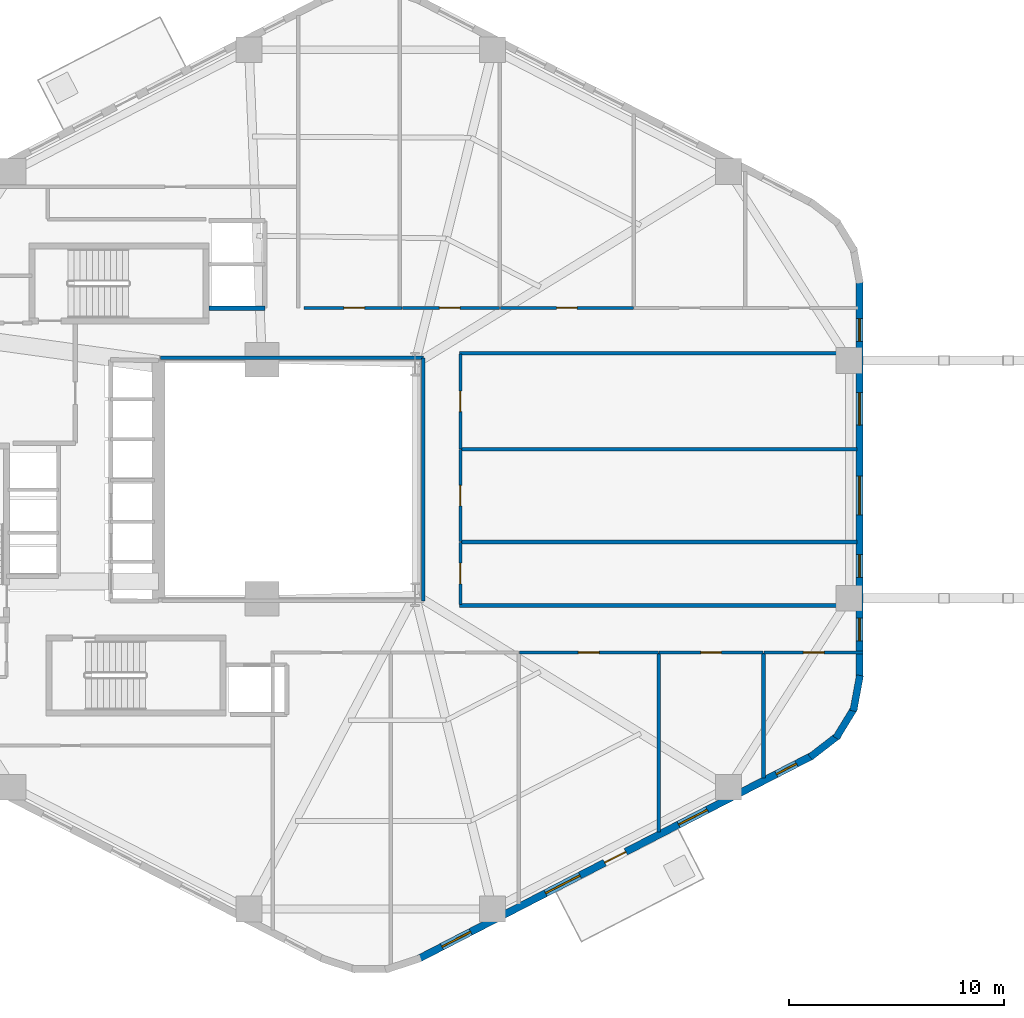
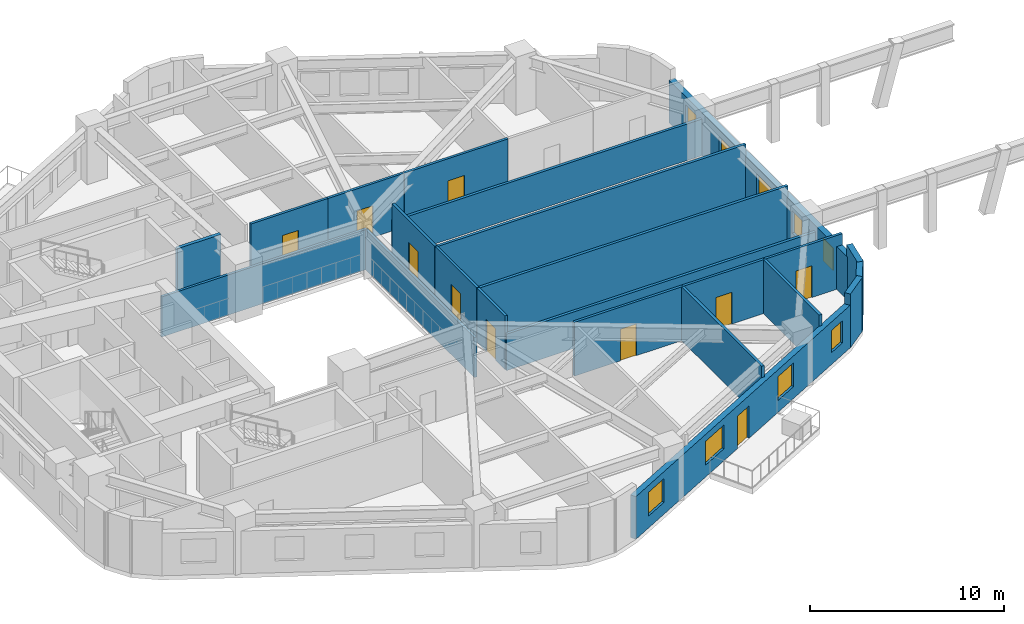
# One storey, part 4 of 8: 23 walls, 10 doors, 9 windows, 19 openings.
"""IFC4 building model written with IfcOpenShell, lengths in metres."""

from ifc_helpers import new_model, si_unit, direction, frame, frame_2d, origin, place, context, subcontext, project, spatial, rectangle, extrude, material, layer, layer_set, type_object, element, fill, save


model = new_model("IFC4")

# Units and contexts
model_context = context("Model", 3, precision=1e-05, world=origin(), true_north=direction((0.0, 1.0)))
body_context = subcontext(model_context, "Body", "Model", "MODEL_VIEW")
ifc_project = project(units=[si_unit("LENGTHUNIT", "METRE"), si_unit("AREAUNIT", "SQUARE_METRE"), si_unit("VOLUMEUNIT", "CUBIC_METRE"), si_unit("PLANEANGLEUNIT", "RADIAN"), si_unit("MASSUNIT", "GRAM", prefix="KILO"), si_unit("THERMODYNAMICTEMPERATUREUNIT", "KELVIN"), si_unit("POWERUNIT", "WATT")], contexts=[model_context])

# Site, building, storey
site_placement = place(None, origin())
site = spatial("IfcSite", under=ifc_project, at=site_placement, CompositionType="ELEMENT")
building_placement = place(site_placement, origin())
building = spatial("IfcBuilding", under=site, at=building_placement, Name="Skarre Station Tower", CompositionType="ELEMENT")
storey_placement = place(building_placement, frame((0.0, 0.0, 45.25)))
storey = spatial("IfcBuildingStorey", under=building, at=storey_placement, Name="L11", CompositionType="ELEMENT", Elevation=45.25)

# Walls
ifc_material_1 = material(Name="Acoustic Steel-Stud Gypsum Partition", Category="steel")
ifc_layer_1 = layer(ifc_material_1, 0.14990234375, Name="Acoustic Steel-Stud Gypsum Partition")
ifc_layer_set_1 = layer_set([ifc_layer_1], Name="Acoustic Steel-Stud Gypsum Partition")
wall_type_1 = type_object("IfcWallType", Name="Fire-Rated Corridor Acoustic Partition 150", PredefinedType="PARTITIONING", material=ifc_layer_set_1)
wall_1_placement = place(storey_placement, frame((39.840087890625, 29.639892578125, 0.0), z_axis=(0.0, 0.0, 1.0), x_axis=(-1.0, 0.0, 0.0)))
element("IfcWall", 1, at=wall_1_placement, inside=storey, type_object=wall_type_1, Name="L11 Interior Partition WL-PT-L11-ATRW-N", PredefinedType="PARTITIONING", context=body_context, shape_type="SweptSolid", body=[
    extrude(rectangle(XDim=12.2001953125, YDim=0.14990234375, at=frame_2d((6.10009765625, 0.0))), origin(), (0.0, 0.0, 1.0), 2.531005859375),
])
wall_2_placement = place(storey_placement, frame((39.840087890625, 18.360107421875, 0.0), z_axis=(0.0, 0.0, 1.0), x_axis=(0.0, 1.0, 0.0)))
element("IfcWall", 2, at=wall_2_placement, inside=storey, type_object=wall_type_1, Name="L11 Interior Partition WL-PT-L11-ATRW-E", PredefinedType="PARTITIONING", context=body_context, shape_type="SweptSolid", body=[
    extrude(rectangle(XDim=11.27978515625, YDim=0.14990234375, at=frame_2d((5.639892578125, 0.0))), origin(), (0.0, 0.0, 1.0), 2.512939453125),
])

# Wall, opening, door
wall_3_placement = place(storey_placement, frame((38.85888671875, 31.9599609375, 0.0), z_axis=(0.0, 0.0, 1.0), x_axis=(-1.0, 0.0, 0.0)))
wall_3 = element("IfcWall", 3, at=wall_3_placement, inside=storey, type_object=wall_type_1, Name="L11 Interior Partition WL-PT-L11-NW1-CW", PredefinedType="PARTITIONING", context=body_context, shape_type="SweptSolid", body=[
    extrude(rectangle(XDim=4.56884765625, YDim=0.14990234375, at=frame_2d((2.284423828125, 0.0))), origin(), (0.0, 0.0, 1.0), 3.389892578125),
])
opening_1_placement = place(wall_3_placement, frame((1.748046875, 0.0, 0.0)))
opening_1 = element("IfcOpeningElement", 4, at=opening_1_placement, cuts=wall_3, Name="Opening DR-FD60", PredefinedType="OPENING", context=body_context, shape_type="SweptSolid", body=[
    extrude(rectangle(XDim=0.9599609375, YDim=2.0, at=frame_2d((0.47998046875, 1.0))), frame((0.0, 0.0849609375, 0.0), z_axis=(0.0, -1.0, 0.0), x_axis=(1.0, 0.0, 0.0)), (0.0, 0.0, 1.0), 0.169921875),
])
ifc_material_2 = material(Name="Nordic White-Oak Veneer Solid-Core Fire Leaf", Category="wood")
door_type_1 = type_object("IfcDoorType", Name="Corridor Suite Entry Fire Door FD60 960x2150", OperationType="SINGLE_SWING_LEFT", PredefinedType="DOOR", material=ifc_material_2)
door_1_placement = place(opening_1_placement, origin())
door_1 = element("IfcDoor", 5, at=door_1_placement, inside=storey, type_object=door_type_1, Name="L11 NW1 Entry Door", OperationType="SINGLE_SWING_LEFT", OverallHeight=2.0, OverallWidth=0.9599609375, PredefinedType="DOOR", context=body_context, shape_type="SweptSolid", body=[
    extrude(rectangle(XDim=0.9599609375, YDim=2.0, at=frame_2d((0.47998046875, 1.0))), frame((0.0, 0.02490234375, 0.0), z_axis=(0.0, -1.0, 0.0), x_axis=(1.0, 0.0, 0.0)), (0.0, 0.0, 1.0), 0.050048828125),
])
fill(opening_1, door_1)

wall_4_placement = place(storey_placement, frame((43.382080078125, 31.9599609375, 0.0), z_axis=(0.0, 0.0, 1.0), x_axis=(-1.0, 0.0, 0.0)))
wall_4 = element("IfcWall", 6, at=wall_4_placement, inside=storey, type_object=wall_type_1, Name="L11 Interior Partition WL-PT-L11-NW2-CW", PredefinedType="PARTITIONING", context=body_context, shape_type="SweptSolid", body=[
    extrude(rectangle(XDim=4.51318359375, YDim=0.14990234375, at=frame_2d((2.256591796875, 0.0))), origin(), (0.0, 0.0, 1.0), 3.389892578125),
])
opening_2_placement = place(wall_4_placement, frame((1.833984375, 0.0, 0.0)))
opening_2 = element("IfcOpeningElement", 7, at=opening_2_placement, cuts=wall_4, Name="Opening DR-FD60", PredefinedType="OPENING", context=body_context, shape_type="SweptSolid", body=[
    extrude(rectangle(XDim=0.9599609375, YDim=2.0, at=frame_2d((0.47998046875, 1.0))), frame((0.0, 0.0849609375, 0.0), z_axis=(0.0, -1.0, 0.0), x_axis=(1.0, 0.0, 0.0)), (0.0, 0.0, 1.0), 0.169921875),
])
door_2_placement = place(opening_2_placement, origin())
door_2 = element("IfcDoor", 8, at=door_2_placement, inside=storey, type_object=door_type_1, Name="L11 NW2 Entry Door", OperationType="SINGLE_SWING_LEFT", OverallHeight=2.0, OverallWidth=0.9599609375, PredefinedType="DOOR", context=body_context, shape_type="SweptSolid", body=[
    extrude(rectangle(XDim=0.9599609375, YDim=2.0, at=frame_2d((0.47998046875, 1.0))), frame((0.0, 0.02490234375, 0.0), z_axis=(0.0, -1.0, 0.0), x_axis=(1.0, 0.0, 0.0)), (0.0, 0.0, 1.0), 0.050048828125),
])
fill(opening_2, door_2)

wall_5_placement = place(storey_placement, frame((49.593994140625, 31.9599609375, 0.0), z_axis=(0.0, 0.0, 1.0), x_axis=(-1.0, 0.0, 0.0)))
wall_5 = element("IfcWall", 9, at=wall_5_placement, inside=storey, type_object=wall_type_1, Name="L11 Interior Partition WL-PT-L11-NW3-CW", PredefinedType="PARTITIONING", context=body_context, shape_type="SweptSolid", body=[
    extrude(rectangle(XDim=6.179931640625, YDim=0.14990234375, at=frame_2d((3.08984375, 0.0))), origin(), (0.0, 0.0, 1.0), 3.389892578125),
])
opening_3_placement = place(wall_5_placement, frame((2.610107421875, 0.0, 0.0)))
opening_3 = element("IfcOpeningElement", 10, at=opening_3_placement, cuts=wall_5, Name="Opening DR-FD60", PredefinedType="OPENING", context=body_context, shape_type="SweptSolid", body=[
    extrude(rectangle(XDim=0.9599609375, YDim=2.0, at=frame_2d((0.47998046875, 1.0))), frame((0.0, 0.0849609375, 0.0), z_axis=(0.0, -1.0, 0.0), x_axis=(1.0, 0.0, 0.0)), (0.0, 0.0, 1.0), 0.169921875),
])
door_3_placement = place(opening_3_placement, origin())
door_3 = element("IfcDoor", 11, at=door_3_placement, inside=storey, type_object=door_type_1, Name="L11 NW3 Entry Door", OperationType="SINGLE_SWING_LEFT", OverallHeight=2.0, OverallWidth=0.9599609375, PredefinedType="DOOR", context=body_context, shape_type="SweptSolid", body=[
    extrude(rectangle(XDim=0.9599609375, YDim=2.0, at=frame_2d((0.47998046875, 1.0))), frame((0.0, 0.02490234375, 0.0), z_axis=(0.0, -1.0, 0.0), x_axis=(1.0, 0.0, 0.0)), (0.0, 0.0, 1.0), 0.050048828125),
])
fill(opening_3, door_3)

wall_6_placement = place(storey_placement, frame((41.56005859375, 18.179931640625, 0.0), z_axis=(0.0, 0.0, 1.0), x_axis=(0.0, 1.0, 0.0)))
wall_6 = element("IfcWall", 12, at=wall_6_placement, inside=storey, type_object=wall_type_1, Name="L11 Interior Partition WL-PT-L11-EW1-CW", PredefinedType="PARTITIONING", context=body_context, shape_type="SweptSolid", body=[
    extrude(rectangle(XDim=2.89208984375, YDim=0.14990234375, at=frame_2d((1.446044921875, 0.0))), origin(), (0.0, 0.0, 1.0), 3.389892578125),
])
opening_4_placement = place(wall_6_placement, frame((0.966064453125, 0.0, 0.0)))
opening_4 = element("IfcOpeningElement", 13, at=opening_4_placement, cuts=wall_6, Name="Opening DR-FD60", PredefinedType="OPENING", context=body_context, shape_type="SweptSolid", body=[
    extrude(rectangle(XDim=0.9599609375, YDim=2.0, at=frame_2d((0.47998046875, 1.0))), frame((0.0, 0.0849609375, 0.0), z_axis=(0.0, -1.0, 0.0), x_axis=(1.0, 0.0, 0.0)), (0.0, 0.0, 1.0), 0.169921875),
])
door_4_placement = place(opening_4_placement, origin())
door_4 = element("IfcDoor", 14, at=door_4_placement, inside=storey, type_object=door_type_1, Name="L11 EW1 Entry Door", OperationType="SINGLE_SWING_LEFT", OverallHeight=2.0, OverallWidth=0.9599609375, PredefinedType="DOOR", context=body_context, shape_type="SweptSolid", body=[
    extrude(rectangle(XDim=0.9599609375, YDim=2.0, at=frame_2d((0.47998046875, 1.0))), frame((0.0, 0.02490234375, 0.0), z_axis=(0.0, -1.0, 0.0), x_axis=(1.0, 0.0, 0.0)), (0.0, 0.0, 1.0), 0.050048828125),
])
fill(opening_4, door_4)

wall_7_placement = place(storey_placement, frame((41.56005859375, 21.10791015625, 0.0), z_axis=(0.0, 0.0, 1.0), x_axis=(0.0, 1.0, 0.0)))
wall_7 = element("IfcWall", 15, at=wall_7_placement, inside=storey, type_object=wall_type_1, Name="L11 Interior Partition WL-PT-L11-EW2-CW", PredefinedType="PARTITIONING", context=body_context, shape_type="SweptSolid", body=[
    extrude(rectangle(XDim=4.27099609375, YDim=0.14990234375, at=frame_2d((2.135498046875, 0.0))), origin(), (0.0, 0.0, 1.0), 3.389892578125),
])
opening_5_placement = place(wall_7_placement, frame((1.656005859375, 0.0, 0.0)))
opening_5 = element("IfcOpeningElement", 16, at=opening_5_placement, cuts=wall_7, Name="Opening DR-FD60", PredefinedType="OPENING", context=body_context, shape_type="SweptSolid", body=[
    extrude(rectangle(XDim=0.9599609375, YDim=2.0, at=frame_2d((0.47998046875, 1.0))), frame((0.0, 0.0849609375, 0.0), z_axis=(0.0, -1.0, 0.0), x_axis=(1.0, 0.0, 0.0)), (0.0, 0.0, 1.0), 0.169921875),
])
door_5_placement = place(opening_5_placement, origin())
door_5 = element("IfcDoor", 17, at=door_5_placement, inside=storey, type_object=door_type_1, Name="L11 EW2 Entry Door", OperationType="SINGLE_SWING_LEFT", OverallHeight=2.0, OverallWidth=0.9599609375, PredefinedType="DOOR", context=body_context, shape_type="SweptSolid", body=[
    extrude(rectangle(XDim=0.9599609375, YDim=2.0, at=frame_2d((0.47998046875, 1.0))), frame((0.0, 0.02490234375, 0.0), z_axis=(0.0, -1.0, 0.0), x_axis=(1.0, 0.0, 0.0)), (0.0, 0.0, 1.0), 0.050048828125),
])
fill(opening_5, door_5)

wall_8_placement = place(storey_placement, frame((41.56005859375, 25.4150390625, 0.0), z_axis=(0.0, 0.0, 1.0), x_axis=(0.0, 1.0, 0.0)))
wall_8 = element("IfcWall", 18, at=wall_8_placement, inside=storey, type_object=wall_type_1, Name="L11 Interior Partition WL-PT-L11-EW3-CW", PredefinedType="PARTITIONING", context=body_context, shape_type="SweptSolid", body=[
    extrude(rectangle(XDim=4.405029296875, YDim=0.14990234375, at=frame_2d((2.20263671875, 0.0))), origin(), (0.0, 0.0, 1.0), 3.389892578125),
])
opening_6_placement = place(wall_8_placement, frame((1.722900390625, 0.0, 0.0)))
opening_6 = element("IfcOpeningElement", 19, at=opening_6_placement, cuts=wall_8, Name="Opening DR-FD60", PredefinedType="OPENING", context=body_context, shape_type="SweptSolid", body=[
    extrude(rectangle(XDim=0.9599609375, YDim=2.0, at=frame_2d((0.47998046875, 1.0))), frame((0.0, 0.0849609375, 0.0), z_axis=(0.0, -1.0, 0.0), x_axis=(1.0, 0.0, 0.0)), (0.0, 0.0, 1.0), 0.169921875),
])
door_6_placement = place(opening_6_placement, origin())
door_6 = element("IfcDoor", 20, at=door_6_placement, inside=storey, type_object=door_type_1, Name="L11 EW3 Entry Door", OperationType="SINGLE_SWING_LEFT", OverallHeight=2.0, OverallWidth=0.9599609375, PredefinedType="DOOR", context=body_context, shape_type="SweptSolid", body=[
    extrude(rectangle(XDim=0.9599609375, YDim=2.0, at=frame_2d((0.47998046875, 1.0))), frame((0.0, 0.02490234375, 0.0), z_axis=(0.0, -1.0, 0.0), x_axis=(1.0, 0.0, 0.0)), (0.0, 0.0, 1.0), 0.050048828125),
])
fill(opening_6, door_6)

wall_9_placement = place(storey_placement, frame((44.2958984375, 15.9599609375, 0.0), z_axis=(0.0, 0.0, 1.0), x_axis=(1.0, 0.0, 0.0)))
wall_9 = element("IfcWall", 21, at=wall_9_placement, inside=storey, type_object=wall_type_1, Name="L11 Interior Partition WL-PT-L11-SW3-CW", PredefinedType="PARTITIONING", context=body_context, shape_type="SweptSolid", body=[
    extrude(rectangle(XDim=6.4541015625, YDim=0.14990234375, at=frame_2d((3.22705078125, 0.0))), origin(), (0.0, 0.0, 1.0), 3.389892578125),
])
opening_7_placement = place(wall_9_placement, frame((2.7470703125, 0.0, 0.0)))
opening_7 = element("IfcOpeningElement", 22, at=opening_7_placement, cuts=wall_9, Name="Opening DR-FD60", PredefinedType="OPENING", context=body_context, shape_type="SweptSolid", body=[
    extrude(rectangle(XDim=0.9599609375, YDim=2.0, at=frame_2d((0.47998046875, 1.0))), frame((0.0, 0.0849609375, 0.0), z_axis=(0.0, -1.0, 0.0), x_axis=(1.0, 0.0, 0.0)), (0.0, 0.0, 1.0), 0.169921875),
])
door_7_placement = place(opening_7_placement, origin())
door_7 = element("IfcDoor", 23, at=door_7_placement, inside=storey, type_object=door_type_1, Name="L11 SW3 Entry Door", OperationType="SINGLE_SWING_LEFT", OverallHeight=2.0, OverallWidth=0.9599609375, PredefinedType="DOOR", context=body_context, shape_type="SweptSolid", body=[
    extrude(rectangle(XDim=0.9599609375, YDim=2.0, at=frame_2d((0.47998046875, 1.0))), frame((0.0, 0.02490234375, 0.0), z_axis=(0.0, -1.0, 0.0), x_axis=(1.0, 0.0, 0.0)), (0.0, 0.0, 1.0), 0.050048828125),
])
fill(opening_7, door_7)

wall_10_placement = place(storey_placement, frame((50.785888671875, 15.9599609375, 0.0), z_axis=(0.0, 0.0, 1.0), x_axis=(1.0, 0.0, 0.0)))
wall_10 = element("IfcWall", 24, at=wall_10_placement, inside=storey, type_object=wall_type_1, Name="L11 Interior Partition WL-PT-L11-SW4-CW", PredefinedType="PARTITIONING", context=body_context, shape_type="SweptSolid", body=[
    extrude(rectangle(XDim=4.83203125, YDim=0.14990234375, at=frame_2d((2.416015625, 0.0))), origin(), (0.0, 0.0, 1.0), 3.389892578125),
])
opening_8_placement = place(wall_10_placement, frame((1.93603515625, 0.0, 0.0)))
opening_8 = element("IfcOpeningElement", 25, at=opening_8_placement, cuts=wall_10, Name="Opening DR-FD60", PredefinedType="OPENING", context=body_context, shape_type="SweptSolid", body=[
    extrude(rectangle(XDim=0.9599609375, YDim=2.0, at=frame_2d((0.47998046875, 1.0))), frame((0.0, 0.0849609375, 0.0), z_axis=(0.0, -1.0, 0.0), x_axis=(1.0, 0.0, 0.0)), (0.0, 0.0, 1.0), 0.169921875),
])
door_8_placement = place(opening_8_placement, origin())
door_8 = element("IfcDoor", 26, at=door_8_placement, inside=storey, type_object=door_type_1, Name="L11 SW4 Entry Door", OperationType="SINGLE_SWING_LEFT", OverallHeight=2.0, OverallWidth=0.9599609375, PredefinedType="DOOR", context=body_context, shape_type="SweptSolid", body=[
    extrude(rectangle(XDim=0.9599609375, YDim=2.0, at=frame_2d((0.47998046875, 1.0))), frame((0.0, 0.02490234375, 0.0), z_axis=(0.0, -1.0, 0.0), x_axis=(1.0, 0.0, 0.0)), (0.0, 0.0, 1.0), 0.050048828125),
])
fill(opening_8, door_8)

wall_11_placement = place(storey_placement, frame((55.654052734375, 15.9599609375, 0.0), z_axis=(0.0, 0.0, 1.0), x_axis=(1.0, 0.0, 0.0)))
wall_11 = element("IfcWall", 27, at=wall_11_placement, inside=storey, type_object=wall_type_1, Name="L11 Interior Partition WL-PT-L11-SW5-CW", PredefinedType="PARTITIONING", context=body_context, shape_type="SweptSolid", body=[
    extrude(rectangle(XDim=4.598876953125, YDim=0.14990234375, at=frame_2d((2.29931640625, 0.0))), origin(), (0.0, 0.0, 1.0), 3.389892578125),
])
opening_9_placement = place(wall_11_placement, frame((1.8330078125, 0.0, 0.0)))
opening_9 = element("IfcOpeningElement", 28, at=opening_9_placement, cuts=wall_11, Name="Opening DR-FD60", PredefinedType="OPENING", context=body_context, shape_type="SweptSolid", body=[
    extrude(rectangle(XDim=0.9599609375, YDim=2.0, at=frame_2d((0.47998046875, 1.0))), frame((0.0, 0.0849609375, 0.0), z_axis=(0.0, -1.0, 0.0), x_axis=(1.0, 0.0, 0.0)), (0.0, 0.0, 1.0), 0.169921875),
])
door_9_placement = place(opening_9_placement, origin())
door_9 = element("IfcDoor", 29, at=door_9_placement, inside=storey, type_object=door_type_1, Name="L11 SW5 Entry Door", OperationType="SINGLE_SWING_LEFT", OverallHeight=2.0, OverallWidth=0.9599609375, PredefinedType="DOOR", context=body_context, shape_type="SweptSolid", body=[
    extrude(rectangle(XDim=0.9599609375, YDim=2.0, at=frame_2d((0.47998046875, 1.0))), frame((0.0, 0.02490234375, 0.0), z_axis=(0.0, -1.0, 0.0), x_axis=(1.0, 0.0, 0.0)), (0.0, 0.0, 1.0), 0.050048828125),
])
fill(opening_9, door_9)

# Wall, openings, windows, door
ifc_material_3 = material(Name="Precast concrete C45/55", Category="concrete")
ifc_layer_2 = layer(ifc_material_3, 0.340087890625, Name="Precast concrete C45/55")
ifc_layer_set_2 = layer_set([ifc_layer_2], Name="Precast concrete C45/55")
wall_type_2 = type_object("IfcWallType", Name="Nordic Honed Precast Facet Wall 340", PredefinedType="STANDARD", material=ifc_layer_set_2)
wall_12_placement = place(storey_placement, frame((57.8759765625, 11.158935546875, 0.0), z_axis=(0.0, 0.0, 1.0), x_axis=(-0.888634413993, -0.458616264721, 0.0)))
wall_12 = element("IfcWall", 30, at=wall_12_placement, inside=storey, type_object=wall_type_2, Name="L11 Facet 4 Nordic Precast Masonry Wall", PredefinedType="STANDARD", context=body_context, shape_type="SweptSolid", body=[
    extrude(rectangle(XDim=20.53125, YDim=0.340087890625, at=frame_2d((10.265625, 0.0))), origin(), (0.0, 0.0, 1.0), 2.68408203125),
])
opening_10_placement = place(wall_12_placement, frame((9.716064453125, 0.0, 0.0)))
opening_10 = element("IfcOpeningElement", 31, at=opening_10_placement, cuts=wall_12, Name="Opening DR-BAL110", PredefinedType="OPENING", context=body_context, shape_type="SweptSolid", body=[
    extrude(rectangle(XDim=1.10009765625, YDim=2.0400390625, at=frame_2d((0.550048828125, 1.02001953125))), frame((0.0, 0.179931640625, 0.0), z_axis=(0.0, -1.0, 0.0), x_axis=(1.0, 0.0, 0.0)), (0.0, 0.0, 1.0), 0.360107421875),
])
opening_11_placement = place(wall_12_placement, frame((0.798095703125, 0.0, 0.75)))
opening_11 = element("IfcOpeningElement", 32, at=opening_11_placement, cuts=wall_12, Name="Opening WN-SLT", PredefinedType="OPENING", context=body_context, shape_type="SweptSolid", body=[
    extrude(rectangle(XDim=1.050048828125, YDim=1.39990234375, at=frame_2d((0.52490234375, 0.699951171875))), frame((0.0, 0.179931640625, 0.0), z_axis=(0.0, -1.0, 0.0), x_axis=(1.0, 0.0, 0.0)), (0.0, 0.0, 1.0), 0.360107421875),
])
opening_12_placement = place(wall_12_placement, frame((5.4599609375, 0.0, 0.75)))
opening_12 = element("IfcOpeningElement", 33, at=opening_12_placement, cuts=wall_12, Name="Opening WN-Z1B", PredefinedType="OPENING", context=body_context, shape_type="SweptSolid", body=[
    extrude(rectangle(XDim=1.5, YDim=1.5, at=frame_2d((0.75, 0.75))), frame((0.0, 0.179931640625, 0.0), z_axis=(0.0, -1.0, 0.0), x_axis=(1.0, 0.0, 0.0)), (0.0, 0.0, 1.0), 0.360107421875),
])
opening_13_placement = place(wall_12_placement, frame((12.10693359375, 0.0, 0.75)))
opening_13 = element("IfcOpeningElement", 34, at=opening_13_placement, cuts=wall_12, Name="Opening WN-Z1A", PredefinedType="OPENING", context=body_context, shape_type="SweptSolid", body=[
    extrude(rectangle(XDim=1.800048828125, YDim=1.5, at=frame_2d((0.89990234375, 0.75))), frame((0.0, 0.179931640625, 0.0), z_axis=(0.0, -1.0, 0.0), x_axis=(1.0, 0.0, 0.0)), (0.0, 0.0, 1.0), 0.360107421875),
])
opening_14_placement = place(wall_12_placement, frame((17.822998046875, 0.0, 0.75)))
opening_14 = element("IfcOpeningElement", 35, at=opening_14_placement, cuts=wall_12, Name="Opening WN-Z1B", PredefinedType="OPENING", context=body_context, shape_type="SweptSolid", body=[
    extrude(rectangle(XDim=1.5, YDim=1.5, at=frame_2d((0.75, 0.75))), frame((0.0, 0.179931640625, 0.0), z_axis=(0.0, -1.0, 0.0), x_axis=(1.0, 0.0, 0.0)), (0.0, 0.0, 1.0), 0.360107421875),
])
ifc_material_4 = material(Name="Low-Iron Triple Glazing with Bronze Anodized Frame", Category="glass")
window_type_1 = type_object("IfcWindowType", Name="Nordic Corner Slot Window 1050x1400", PartitioningType="SINGLE_PANEL", PredefinedType="WINDOW", material=ifc_material_4)
window_1_placement = place(opening_11_placement, origin())
window_1 = element("IfcWindow", 36, at=window_1_placement, inside=storey, type_object=window_type_1, Name="L11 Facade Window WL-FAC-L11-F4-1", OverallHeight=1.39990234375, OverallWidth=1.050048828125, PartitioningType="SINGLE_PANEL", PredefinedType="WINDOW", context=body_context, shape_type="SweptSolid", body=[
    extrude(rectangle(XDim=1.050048828125, YDim=1.39990234375, at=frame_2d((0.52490234375, 0.699951171875))), frame((0.0, 0.030029296875, 0.0), z_axis=(0.0, -1.0, 0.0), x_axis=(1.0, 0.0, 0.0)), (0.0, 0.0, 1.0), 0.06005859375),
])
fill(opening_11, window_1)
window_type_2 = type_object("IfcWindowType", Name="Nordic Punched Triple-Glazed Window 1500x1500", PartitioningType="SINGLE_PANEL", PredefinedType="WINDOW", material=ifc_material_4)
window_2_placement = place(opening_12_placement, origin())
window_2 = element("IfcWindow", 37, at=window_2_placement, inside=storey, type_object=window_type_2, Name="L11 Facade Window WL-FAC-L11-F4-2", OverallHeight=1.5, OverallWidth=1.5, PartitioningType="SINGLE_PANEL", PredefinedType="WINDOW", context=body_context, shape_type="SweptSolid", body=[
    extrude(rectangle(XDim=1.5, YDim=1.5, at=frame_2d((0.75, 0.75))), frame((0.0, 0.030029296875, 0.0), z_axis=(0.0, -1.0, 0.0), x_axis=(1.0, 0.0, 0.0)), (0.0, 0.0, 1.0), 0.06005859375),
])
fill(opening_12, window_2)
window_3_placement = place(opening_14_placement, origin())
window_3 = element("IfcWindow", 38, at=window_3_placement, inside=storey, type_object=window_type_2, Name="L11 Facade Window WL-FAC-L11-F4-4", OverallHeight=1.5, OverallWidth=1.5, PartitioningType="SINGLE_PANEL", PredefinedType="WINDOW", context=body_context, shape_type="SweptSolid", body=[
    extrude(rectangle(XDim=1.5, YDim=1.5, at=frame_2d((0.75, 0.75))), frame((0.0, 0.030029296875, 0.0), z_axis=(0.0, -1.0, 0.0), x_axis=(1.0, 0.0, 0.0)), (0.0, 0.0, 1.0), 0.06005859375),
])
fill(opening_14, window_3)
window_type_3 = type_object("IfcWindowType", Name="Nordic Punched Triple-Glazed Window 1800x1500", PartitioningType="SINGLE_PANEL", PredefinedType="WINDOW", material=ifc_material_4)
window_4_placement = place(opening_13_placement, origin())
window_4 = element("IfcWindow", 39, at=window_4_placement, inside=storey, type_object=window_type_3, Name="L11 Facade Window WL-FAC-L11-F4-3", OverallHeight=1.5, OverallWidth=1.800048828125, PartitioningType="SINGLE_PANEL", PredefinedType="WINDOW", context=body_context, shape_type="SweptSolid", body=[
    extrude(rectangle(XDim=1.800048828125, YDim=1.5, at=frame_2d((0.89990234375, 0.75))), frame((0.0, 0.030029296875, 0.0), z_axis=(0.0, -1.0, 0.0), x_axis=(1.0, 0.0, 0.0)), (0.0, 0.0, 1.0), 0.06005859375),
])
fill(opening_13, window_4)
ifc_material_5 = material(Name="Thermally Broken Aluminium & Triple Glazing", Category="aluminium")
door_type_2 = type_object("IfcDoorType", Name="Terrace & Tree-Balcony Glazed Door 1100x2200", OperationType="SINGLE_SWING_LEFT", PredefinedType="DOOR", material=ifc_material_5)
door_10_placement = place(opening_10_placement, origin())
door_10 = element("IfcDoor", 40, at=door_10_placement, inside=storey, type_object=door_type_2, Name="L11 TB-L11-F4 Tree-Balcony Glazed Door", OperationType="SINGLE_SWING_LEFT", OverallHeight=2.0400390625, OverallWidth=1.10009765625, PredefinedType="DOOR", context=body_context, shape_type="SweptSolid", body=[
    extrude(rectangle(XDim=1.10009765625, YDim=2.0400390625, at=frame_2d((0.550048828125, 1.02001953125))), frame((0.0, 0.02490234375, 0.0), z_axis=(0.0, -1.0, 0.0), x_axis=(1.0, 0.0, 0.0)), (0.0, 0.0, 1.0), 0.050048828125),
])
fill(opening_10, door_10)

# Wall, openings, windows
wall_13_placement = place(storey_placement, frame((60.093017578125, 33.201904296875, 0.0), z_axis=(0.0, 0.0, 1.0), x_axis=(0.0, -1.0, 0.0)))
wall_13 = element("IfcWall", 41, at=wall_13_placement, inside=storey, type_object=wall_type_2, Name="L11 Facet 5 Nordic Precast Masonry Wall", PredefinedType="STANDARD", context=body_context, shape_type="SweptSolid", body=[
    extrude(rectangle(XDim=18.40380859375, YDim=0.340087890625, at=frame_2d((9.201904296875, 0.0))), origin(), (0.0, 0.0, 1.0), 2.68408203125),
])
opening_15_placement = place(wall_13_placement, frame((1.743896484375, 0.0, 0.75)))
opening_15 = element("IfcOpeningElement", 42, at=opening_15_placement, cuts=wall_13, Name="Opening WN-SLT", PredefinedType="OPENING", context=body_context, shape_type="SweptSolid", body=[
    extrude(rectangle(XDim=1.050048828125, YDim=1.39990234375, at=frame_2d((0.52490234375, 0.699951171875))), frame((0.0, 0.179931640625, 0.0), z_axis=(0.0, -1.0, 0.0), x_axis=(1.0, 0.0, 0.0)), (0.0, 0.0, 1.0), 0.360107421875),
])
opening_16_placement = place(wall_13_placement, frame((5.181884765625, 0.0, 0.75)))
opening_16 = element("IfcOpeningElement", 43, at=opening_16_placement, cuts=wall_13, Name="Opening WN-Z1B", PredefinedType="OPENING", context=body_context, shape_type="SweptSolid", body=[
    extrude(rectangle(XDim=1.5, YDim=1.5, at=frame_2d((0.75, 0.75))), frame((0.0, 0.179931640625, 0.0), z_axis=(0.0, -1.0, 0.0), x_axis=(1.0, 0.0, 0.0)), (0.0, 0.0, 1.0), 0.360107421875),
])
opening_17_placement = place(wall_13_placement, frame((9.05810546875, 0.0, 0.75)))
opening_17 = element("IfcOpeningElement", 44, at=opening_17_placement, cuts=wall_13, Name="Opening WN-Z1A", PredefinedType="OPENING", context=body_context, shape_type="SweptSolid", body=[
    extrude(rectangle(XDim=1.800048828125, YDim=1.5, at=frame_2d((0.89990234375, 0.75))), frame((0.0, 0.179931640625, 0.0), z_axis=(0.0, -1.0, 0.0), x_axis=(1.0, 0.0, 0.0)), (0.0, 0.0, 1.0), 0.360107421875),
])
opening_18_placement = place(wall_13_placement, frame((12.7041015625, 0.0, 0.75)))
opening_18 = element("IfcOpeningElement", 45, at=opening_18_placement, cuts=wall_13, Name="Opening WN-SLT", PredefinedType="OPENING", context=body_context, shape_type="SweptSolid", body=[
    extrude(rectangle(XDim=1.050048828125, YDim=1.39990234375, at=frame_2d((0.52490234375, 0.699951171875))), frame((0.0, 0.179931640625, 0.0), z_axis=(0.0, -1.0, 0.0), x_axis=(1.0, 0.0, 0.0)), (0.0, 0.0, 1.0), 0.360107421875),
])
opening_19_placement = place(wall_13_placement, frame((15.64990234375, 0.0, 0.75)))
opening_19 = element("IfcOpeningElement", 46, at=opening_19_placement, cuts=wall_13, Name="Opening WN-SLT", PredefinedType="OPENING", context=body_context, shape_type="SweptSolid", body=[
    extrude(rectangle(XDim=1.050048828125, YDim=1.39990234375, at=frame_2d((0.52490234375, 0.699951171875))), frame((0.0, 0.179931640625, 0.0), z_axis=(0.0, -1.0, 0.0), x_axis=(1.0, 0.0, 0.0)), (0.0, 0.0, 1.0), 0.360107421875),
])
window_5_placement = place(opening_15_placement, origin())
window_5 = element("IfcWindow", 47, at=window_5_placement, inside=storey, type_object=window_type_1, Name="L11 Facade Window WL-FAC-L11-F5-1", OverallHeight=1.39990234375, OverallWidth=1.050048828125, PartitioningType="SINGLE_PANEL", PredefinedType="WINDOW", context=body_context, shape_type="SweptSolid", body=[
    extrude(rectangle(XDim=1.050048828125, YDim=1.39990234375, at=frame_2d((0.52490234375, 0.699951171875))), frame((0.0, 0.030029296875, 0.0), z_axis=(0.0, -1.0, 0.0), x_axis=(1.0, 0.0, 0.0)), (0.0, 0.0, 1.0), 0.06005859375),
])
fill(opening_15, window_5)
window_6_placement = place(opening_18_placement, origin())
window_6 = element("IfcWindow", 48, at=window_6_placement, inside=storey, type_object=window_type_1, Name="L11 Facade Window WL-FAC-L11-F5-4", OverallHeight=1.39990234375, OverallWidth=1.050048828125, PartitioningType="SINGLE_PANEL", PredefinedType="WINDOW", context=body_context, shape_type="SweptSolid", body=[
    extrude(rectangle(XDim=1.050048828125, YDim=1.39990234375, at=frame_2d((0.52490234375, 0.699951171875))), frame((0.0, 0.030029296875, 0.0), z_axis=(0.0, -1.0, 0.0), x_axis=(1.0, 0.0, 0.0)), (0.0, 0.0, 1.0), 0.06005859375),
])
fill(opening_18, window_6)
window_7_placement = place(opening_19_placement, origin())
window_7 = element("IfcWindow", 49, at=window_7_placement, inside=storey, type_object=window_type_1, Name="L11 Facade Window WL-FAC-L11-F5-5", OverallHeight=1.39990234375, OverallWidth=1.050048828125, PartitioningType="SINGLE_PANEL", PredefinedType="WINDOW", context=body_context, shape_type="SweptSolid", body=[
    extrude(rectangle(XDim=1.050048828125, YDim=1.39990234375, at=frame_2d((0.52490234375, 0.699951171875))), frame((0.0, 0.030029296875, 0.0), z_axis=(0.0, -1.0, 0.0), x_axis=(1.0, 0.0, 0.0)), (0.0, 0.0, 1.0), 0.06005859375),
])
fill(opening_19, window_7)
window_8_placement = place(opening_16_placement, origin())
window_8 = element("IfcWindow", 50, at=window_8_placement, inside=storey, type_object=window_type_2, Name="L11 Facade Window WL-FAC-L11-F5-2", OverallHeight=1.5, OverallWidth=1.5, PartitioningType="SINGLE_PANEL", PredefinedType="WINDOW", context=body_context, shape_type="SweptSolid", body=[
    extrude(rectangle(XDim=1.5, YDim=1.5, at=frame_2d((0.75, 0.75))), frame((0.0, 0.030029296875, 0.0), z_axis=(0.0, -1.0, 0.0), x_axis=(1.0, 0.0, 0.0)), (0.0, 0.0, 1.0), 0.06005859375),
])
fill(opening_16, window_8)
window_9_placement = place(opening_17_placement, origin())
window_9 = element("IfcWindow", 51, at=window_9_placement, inside=storey, type_object=window_type_3, Name="L11 Facade Window WL-FAC-L11-F5-3", OverallHeight=1.5, OverallWidth=1.800048828125, PartitioningType="SINGLE_PANEL", PredefinedType="WINDOW", context=body_context, shape_type="SweptSolid", body=[
    extrude(rectangle(XDim=1.800048828125, YDim=1.5, at=frame_2d((0.89990234375, 0.75))), frame((0.0, 0.030029296875, 0.0), z_axis=(0.0, -1.0, 0.0), x_axis=(1.0, 0.0, 0.0)), (0.0, 0.0, 1.0), 0.06005859375),
])
fill(opening_17, window_9)

# Walls
ifc_layer_3 = layer(ifc_material_3, 0.330078125, Name="Precast concrete C45/55")
ifc_layer_set_3 = layer_set([ifc_layer_3], Name="Precast concrete C45/55")
wall_type_3 = type_object("IfcWallType", Name="Nordic Rounded Corner Precast Wall 330", PredefinedType="STANDARD", material=ifc_layer_set_3)
wall_14_placement = place(storey_placement, frame((60.113037109375, 14.89208984375, 0.0), z_axis=(0.0, 0.0, 1.0), x_axis=(-0.181714143354, -0.983351397063, 0.0)))
element("IfcWall", 52, at=wall_14_placement, inside=storey, type_object=wall_type_3, Name="L11 Rounded Corner Precast Wall F5-1", PredefinedType="STANDARD", context=body_context, shape_type="SweptSolid", body=[
    extrude(rectangle(XDim=1.677978515625, YDim=0.330078125, at=frame_2d((0.8388671875, 0.0))), origin(), (0.0, 0.0, 1.0), 3.389892578125),
])
wall_15_placement = place(storey_placement, frame((59.875, 13.4169921875, 0.0), z_axis=(0.0, 0.0, 1.0), x_axis=(-0.520584129191, -0.853810379671, 0.0)))
element("IfcWall", 53, at=wall_15_placement, inside=storey, type_object=wall_type_3, Name="L11 Rounded Corner Precast Wall F5-2", PredefinedType="STANDARD", context=body_context, shape_type="SweptSolid", body=[
    extrude(rectangle(XDim=1.677001953125, YDim=0.330078125, at=frame_2d((0.83837890625, 0.0))), origin(), (0.0, 0.0, 1.0), 3.389892578125),
])
wall_16_placement = place(storey_placement, frame((59.126953125, 12.125, 0.0), z_axis=(0.0, 0.0, 1.0), x_axis=(-0.790691856293, -0.61221433207, 0.0)))
element("IfcWall", 54, at=wall_16_placement, inside=storey, type_object=wall_type_3, Name="L11 Rounded Corner Precast Wall F5-3", PredefinedType="STANDARD", context=body_context, shape_type="SweptSolid", body=[
    extrude(rectangle(XDim=1.67578125, YDim=0.330078125, at=frame_2d((0.837890625, 0.0))), origin(), (0.0, 0.0, 1.0), 3.389892578125),
])
ifc_material_6 = material(Name="Gypsum Concrete Shaft Assembly C30/37", Category="concrete")
ifc_layer_4 = layer(ifc_material_6, 0.199951171875, Name="Gypsum Concrete Shaft Assembly C30/37")
ifc_layer_set_4 = layer_set([ifc_layer_4], Name="Gypsum Concrete Shaft Assembly C30/37")
wall_type_4 = type_object("IfcWallType", Name="Shaft & Core Fire Partition 200", PredefinedType="PARTITIONING", material=ifc_layer_set_4)
wall_17_placement = place(storey_placement, frame((32.47998046875, 31.949951171875, 0.0), z_axis=(0.0, 0.0, 1.0), x_axis=(-1.0, 0.0, 0.0)))
element("IfcWall", 55, at=wall_17_placement, inside=storey, type_object=wall_type_4, Name="L11 Interior Partition WL-PT-L11-EX-S", PredefinedType="PARTITIONING", context=body_context, shape_type="SweptSolid", body=[
    extrude(rectangle(XDim=2.60009765625, YDim=0.199951171875, at=frame_2d((1.300048828125, 0.0))), origin(), (0.0, 0.0, 1.0), 3.389892578125),
])
ifc_layer_5 = layer(ifc_material_1, 0.1650390625, Name="Acoustic Steel-Stud Gypsum Partition")
ifc_layer_set_5 = layer_set([ifc_layer_5], Name="Acoustic Steel-Stud Gypsum Partition")
wall_type_5 = type_object("IfcWallType", Name="Suite Demising Acoustic Partition 165", PredefinedType="PARTITIONING", material=ifc_layer_set_5)
for number, where, z_axis, x_axis, name in (
    (56, (41.52001953125, 18.139892578125, 0.0), (0.0, 0.0, 1.0), (1.0, 0.0, 0.0), "L11 Interior Partition WL-PT-L11-EWB-S"),
    (57, (41.52001953125, 29.860107421875, 0.0), (0.0, 0.0, 1.0), (1.0, 0.0, 0.0), "L11 Interior Partition WL-PT-L11-EWB-N"),
):
    element("IfcWall", number, at=place(storey_placement, frame(where, z_axis=z_axis, x_axis=x_axis)), inside=storey, type_object=wall_type_5, Name=name, PredefinedType="PARTITIONING", context=body_context, shape_type="SweptSolid", body=[
        extrude(rectangle(XDim=18.452880859375, YDim=0.1650390625, at=frame_2d((9.2265625, 0.0))), origin(), (0.0, 0.0, 1.0), 2.298095703125),
    ])
for number, where, z_axis, x_axis, name in (
    (58, (41.590087890625, 21.090087890625, 0.0), (0.0, 0.0, 1.0), (1.0, 0.0, 0.0), "L11 Interior Partition WL-PT-L11-EW-P1"),
    (59, (41.590087890625, 25.39697265625, 0.0), (0.0, 0.0, 1.0), (1.0, 0.0, 0.0), "L11 Interior Partition WL-PT-L11-EW-P2"),
):
    element("IfcWall", number, at=place(storey_placement, frame(where, z_axis=z_axis, x_axis=x_axis)), inside=storey, type_object=wall_type_5, Name=name, PredefinedType="PARTITIONING", context=body_context, shape_type="SweptSolid", body=[
        extrude(rectangle(XDim=18.3828125, YDim=0.1650390625, at=frame_2d((9.19140625, 0.0))), origin(), (0.0, 0.0, 1.0), 3.389892578125),
    ])
wall_18_placement = place(storey_placement, frame((50.76806640625, 7.6259765625, 0.0), z_axis=(0.0, 0.0, 1.0), x_axis=(0.0, 1.0, 0.0)))
element("IfcWall", 60, at=wall_18_placement, inside=storey, type_object=wall_type_5, Name="L11 Interior Partition WL-PT-L11-SW-P3", PredefinedType="PARTITIONING", context=body_context, shape_type="SweptSolid", body=[
    extrude(rectangle(XDim=8.303955078125, YDim=0.1650390625, at=frame_2d((4.15185546875, 0.0))), origin(), (0.0, 0.0, 1.0), 3.389892578125),
])
wall_19_placement = place(storey_placement, frame((55.635986328125, 10.137939453125, 0.0), z_axis=(0.0, 0.0, 1.0), x_axis=(0.0, 1.0, 0.0)))
element("IfcWall", 61, at=wall_19_placement, inside=storey, type_object=wall_type_5, Name="L11 Interior Partition WL-PT-L11-SW-P4", PredefinedType="PARTITIONING", context=body_context, shape_type="SweptSolid", body=[
    extrude(rectangle(XDim=5.7919921875, YDim=0.1650390625, at=frame_2d((2.89599609375, 0.0))), origin(), (0.0, 0.0, 1.0), 3.389892578125),
])

save(model, "model.ifc")
